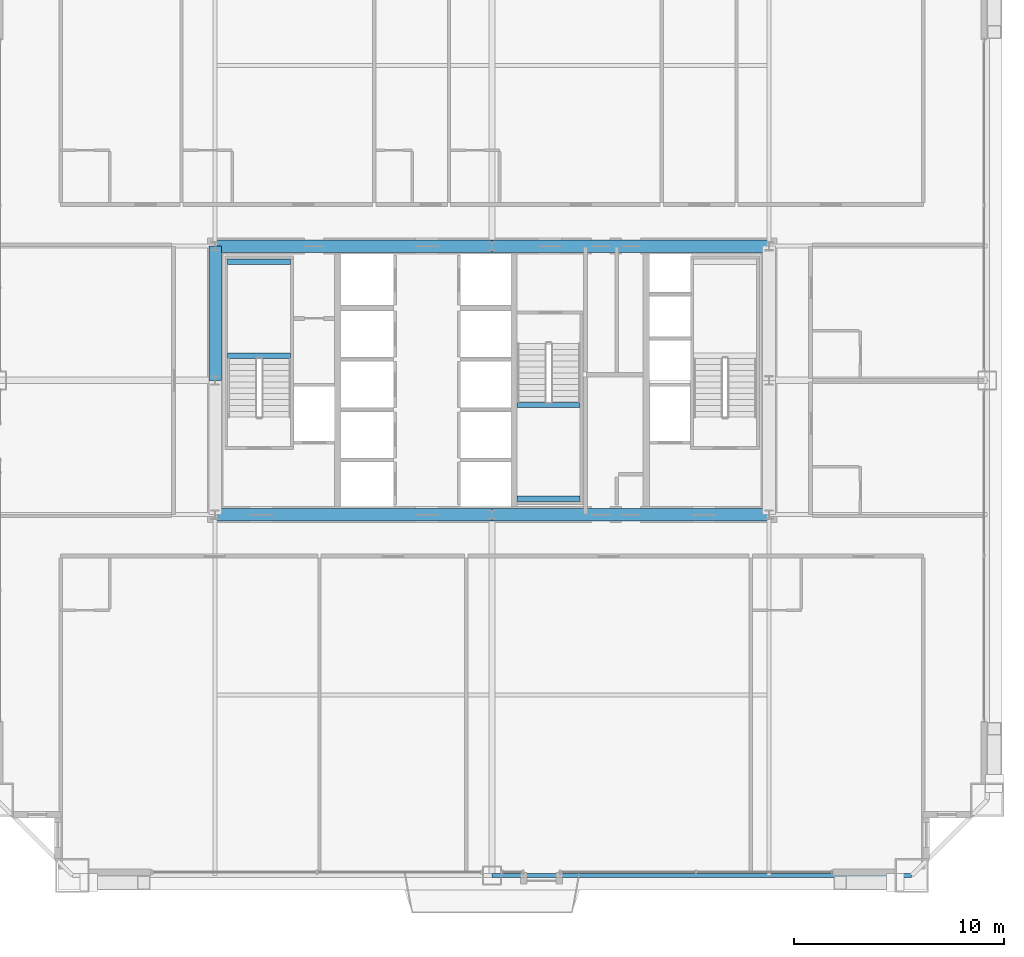
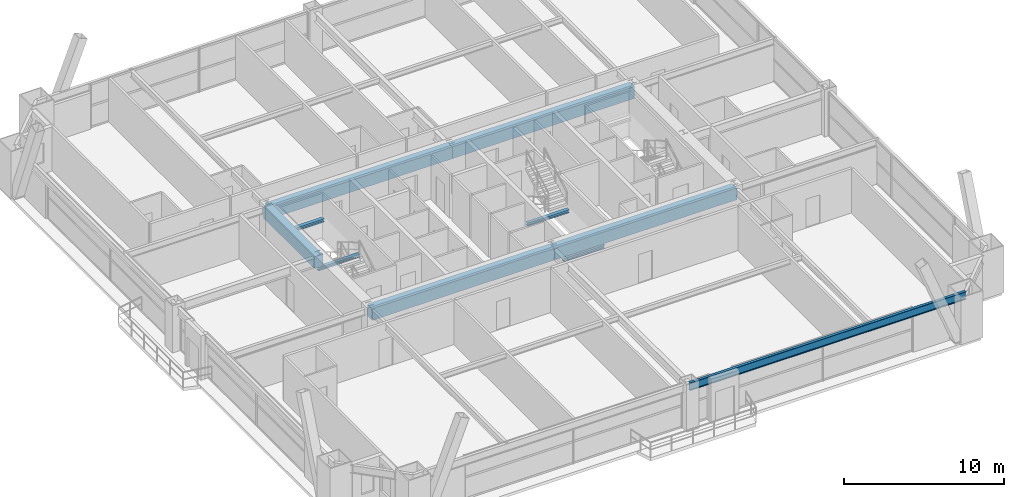
# One storey, part 13 of 41: 10 beams.
"""IFC4 building model written with IfcOpenShell, lengths in metres."""

from ifc_helpers import new_model, si_unit, direction, frame, origin, origin_2d, place, context, subcontext, project, spatial, rectangle, i_section, extrude, source, transform, mapped, material, material_profile, profile_set, type_object, element, save


model = new_model("IFC4")

# Units and contexts
model_context = context("Model", 3, precision=1e-05, world=origin(), true_north=direction((0.0, 1.0)))
body_context = subcontext(model_context, "Body", "Model", "MODEL_VIEW")
ifc_project = project(units=[si_unit("LENGTHUNIT", "METRE"), si_unit("AREAUNIT", "SQUARE_METRE"), si_unit("VOLUMEUNIT", "CUBIC_METRE"), si_unit("PLANEANGLEUNIT", "RADIAN"), si_unit("MASSUNIT", "GRAM", prefix="KILO"), si_unit("THERMODYNAMICTEMPERATUREUNIT", "KELVIN"), si_unit("POWERUNIT", "WATT")], contexts=[model_context])

# Site, building, storey
site_placement = place(None, origin())
site = spatial("IfcSite", under=ifc_project, at=site_placement, CompositionType="ELEMENT")
building_placement = place(site_placement, origin())
building = spatial("IfcBuilding", under=site, at=building_placement, Name="Yuzanri Waterfront Tower", CompositionType="ELEMENT")
storey_placement = place(building_placement, frame((0.0, 0.0, 115.39990234375)))
storey = spatial("IfcBuildingStorey", under=building, at=storey_placement, Name="L30", CompositionType="ELEMENT", Elevation=115.39990234375)

# Beams
ifc_material_1 = material(Name="Concrete C60", Category="concrete")
ifc_material_profile_1 = material_profile(ifc_material_1, rectangle(XDim=0.60009765625, YDim=0.89990234375, at=origin_2d()), Name="RC 600x900")
ifc_profile_set_1 = profile_set([ifc_material_profile_1], Name="Concrete C60")
beam_type_1 = type_object("IfcBeamType", Name="Core Coupling Lintel Concrete C60 600x900", PredefinedType="LINTEL", material=ifc_profile_set_1)
shared_shape_1 = source(origin(), body_context, "Body", "SweptSolid", [
    extrude(rectangle(XDim=0.60009765625, YDim=0.89990234375, at=origin_2d()), origin(), (0.0, 0.0, 1.0), 13.199951171875),
])
for number, where, z_axis, x_axis, name in (
    (1, (23.800048828125, 19.39990234375, 2.93017578125), (1.0, 0.0, 0.0), (0.0, 1.0, 0.0), "L30 Core Tie Beam CS1"),
    (2, (37.0, 19.39990234375, 2.93017578125), (1.0, 0.0, 0.0), (0.0, 1.0, 0.0), "L30 Core Tie Beam CS2"),
    (3, (23.800048828125, 32.199951171875, 2.93017578125), (1.0, 0.0, 0.0), (0.0, 1.0, 0.0), "L30 Core Tie Beam CN1"),
    (4, (37.0, 32.199951171875, 2.93017578125), (1.0, 0.0, 0.0), (0.0, 1.0, 0.0), "L30 Core Tie Beam CN2"),
):
    element("IfcBeam", number, at=place(storey_placement, frame(where, z_axis=z_axis, x_axis=x_axis)), inside=storey, type_object=beam_type_1, Name=name, PredefinedType="LINTEL", context=body_context, shape_type="MappedRepresentation", body=[
        mapped(shared_shape_1, transform((0.0, 0.0, 0.0), scale=1.0)),
    ])
shared_shape_2 = source(origin(), body_context, "Body", "SweptSolid", [
    extrude(rectangle(XDim=0.60009765625, YDim=0.89990234375, at=origin_2d()), origin(), (0.0, 0.0, 1.0), 6.39990234375),
])
beam_1_placement = place(storey_placement, frame((23.800048828125, 25.800048828125, 2.93017578125), z_axis=(0.0, 1.0, 0.0), x_axis=(-1.0, 0.0, 0.0)))
element("IfcBeam", 5, at=beam_1_placement, inside=storey, type_object=beam_type_1, Name="L30 Core Tie Beam CW2", PredefinedType="LINTEL", context=body_context, shape_type="MappedRepresentation", body=[
    mapped(shared_shape_2, transform((0.0, 0.0, 0.0), scale=1.0)),
])
ifc_material_2 = material(Name="Steel Q355B", Category="steel")
ifc_material_profile_2 = material_profile(ifc_material_2, i_section(OverallWidth=0.199951171875, OverallDepth=0.60009765625, WebThickness=0.010986328125, FlangeThickness=0.01708984375, at=origin_2d()), Name="HN 600x200x11x17")
ifc_profile_set_2 = profile_set([ifc_material_profile_2], Name="Steel Q355B")
beam_type_2 = type_object("IfcBeamType", Name="Perimeter Spandrel Q355B HN 600x200", PredefinedType="SPANDREL", material=ifc_profile_set_2)
shared_shape_3 = source(origin(), body_context, "Body", "SweptSolid", [
    extrude(i_section(OverallWidth=0.199951171875, OverallDepth=0.60009765625, WebThickness=0.010986328125, FlangeThickness=0.01708984375, at=origin_2d()), origin(), (0.0, 0.0, 1.0), 20.0),
])
beam_2_placement = place(storey_placement, frame((37.0, 2.199951171875, 3.080078125), z_axis=(1.0, 0.0, 0.0), x_axis=(0.0, 1.0, 0.0)))
element("IfcBeam", 6, at=beam_2_placement, inside=storey, type_object=beam_type_2, Name="L30 Perimeter Spandrel S2-S3", PredefinedType="SPANDREL", context=body_context, shape_type="MappedRepresentation", body=[
    mapped(shared_shape_3, transform((0.0, 0.0, 0.0), scale=1.0)),
])
ifc_material_3 = material(Name="Steel Q355B", Category="steel")
ifc_material_profile_3 = material_profile(ifc_material_3, i_section(OverallWidth=0.25, OverallDepth=0.25, WebThickness=0.009033203125, FlangeThickness=0.013916015625, at=origin_2d()), Name="HW 250x250x9x14")
ifc_profile_set_3 = profile_set([ifc_material_profile_3], Name="Steel Q355B")
beam_type_3 = type_object("IfcBeamType", Name="Stair Landing Support Beam Q355B HW 250x250", PredefinedType="BEAM", material=ifc_profile_set_3)
shared_shape_4 = source(origin(), body_context, "Body", "SweptSolid", [
    extrude(i_section(OverallWidth=0.25, OverallDepth=0.25, WebThickness=0.009033203125, FlangeThickness=0.013916015625, at=origin_2d()), origin(), (0.0, 0.0, 1.0), 3.0),
])
for number, where, z_axis, x_axis, name in (
    (7, (24.39990234375, 26.969970703125, 1.47509765625), (1.0, 0.0, 0.0), (0.0, 1.0, 0.0), "L30 Stair Landing Support Beam ST-01-L30-L1-1"),
    (8, (24.39990234375, 31.449951171875, 1.47509765625), (1.0, 0.0, 0.0), (0.0, 1.0, 0.0), "L30 Stair Landing Support Beam ST-01-L30-L1-2"),
    (9, (38.199951171875, 20.14990234375, 1.47509765625), (1.0, 0.0, 0.0), (0.0, 1.0, 0.0), "L30 Stair Landing Support Beam ST-03-L30-L1-1"),
    (10, (38.199951171875, 24.6298828125, 1.47509765625), (1.0, 0.0, 0.0), (0.0, 1.0, 0.0), "L30 Stair Landing Support Beam ST-03-L30-L1-2"),
):
    element("IfcBeam", number, at=place(storey_placement, frame(where, z_axis=z_axis, x_axis=x_axis)), inside=storey, type_object=beam_type_3, Name=name, PredefinedType="BEAM", context=body_context, shape_type="MappedRepresentation", body=[
        mapped(shared_shape_4, transform((0.0, 0.0, 0.0), scale=1.0)),
    ])

save(model, "model.ifc")
